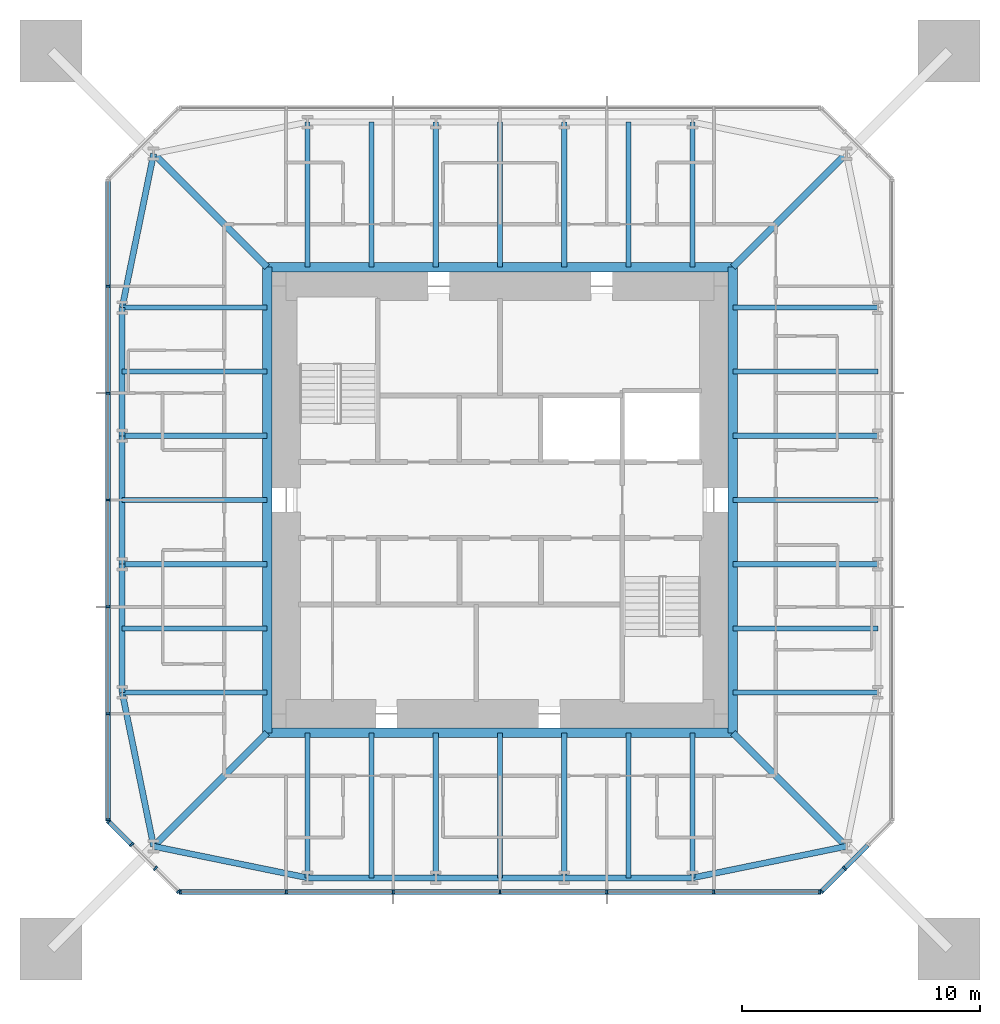
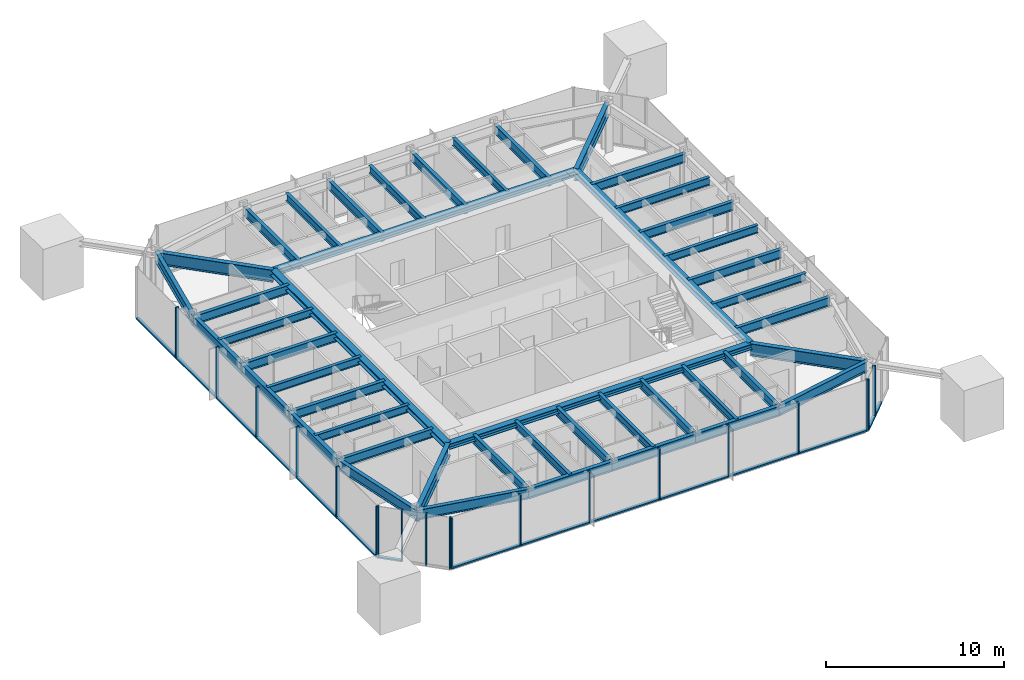
# One storey, part 2 of 10: 46 beams, 34 members, 4 elements without a shape of their own.
"""IFC4 building model written with IfcOpenShell, lengths in metres."""

import ifcopenshell
import ifcopenshell.guid

model = None  # the IFC model being written
_history = None  # IfcOwnerHistory: only IFC2X3 demands one
_inside = {}  # id of a spatial element -> (the spatial element, [elements in it])
_under = {}  # id of a project, library or spatial element -> (it, [spatial elements below it])
_declared = {}  # id of a project -> (the project, [libraries it declares])
_typed = {}  # id of a type object -> (the type object, [elements of that type])
_made_of = {}  # id of a material, layer set ... -> (it, [elements and type objects made of it])


def new_model(schema):
    """Start an empty IFC model of exactly this schema.

    Asked for "IFC4X3", IfcOpenShell would pick the latest addendum, in which some entities
    have other attributes; the version numbers below select the first issue.
    IFC2X3 requires an IfcOwnerHistory on every rooted entity: one is made here for all.
    """
    global model, _history
    if schema == "IFC4X3":
        model = ifcopenshell.file(schema_version=(4, 3, 0, 0))
    else:
        model = ifcopenshell.file(schema=schema)
    _inside.clear()
    _under.clear()
    _declared.clear()
    _typed.clear()
    _made_of.clear()
    _history = None
    if model.schema == "IFC2X3":
        org = make("IfcOrganization", Name="unknown")
        user = make(
            "IfcPersonAndOrganization",
            ThePerson=make("IfcPerson", FamilyName="unknown"),
            TheOrganization=org,
        )
        app = make(
            "IfcApplication",
            ApplicationDeveloper=org,
            Version="unknown",
            ApplicationFullName="unknown",
            ApplicationIdentifier="unknown",
        )
        _history = make(
            "IfcOwnerHistory",
            OwningUser=user,
            OwningApplication=app,
            ChangeAction="ADDED",
            CreationDate=0,
        )
    return model


def make(cls, **values):
    """One entity of the class cls with the attributes given. An attribute that is None is left unset."""
    return model.create_entity(
        cls, **{name: value for name, value in values.items() if value is not None}
    )


def rooted(cls, **values):
    """An entity with a GlobalId (a new one), such as an element, a storey or a relation."""
    return make(cls, GlobalId=ifcopenshell.guid.new(), OwnerHistory=_history, **values)


def si_unit(unit_type, name, prefix=None):
    """IfcSIUnit, for example si_unit("LENGTHUNIT", "METRE", prefix="MILLI")."""
    return make("IfcSIUnit", UnitType=unit_type, Prefix=prefix, Name=name)


def assignment(units):
    """IfcUnitAssignment: the units of a project."""
    return None if units is None else make("IfcUnitAssignment", Units=units)


def point(xyz):
    """IfcCartesianPoint."""
    return None if xyz is None else make("IfcCartesianPoint", Coordinates=xyz)


def direction(xyz):
    """IfcDirection."""
    return None if xyz is None else make("IfcDirection", DirectionRatios=xyz)


def frame(location, z_axis=None, x_axis=None):
    """IfcAxis2Placement3D, a coordinate frame: its origin and axes. An axis left out is left unset."""
    return make(
        "IfcAxis2Placement3D",
        Location=point(location),
        Axis=direction(z_axis),
        RefDirection=direction(x_axis),
    )


def frame_2d(location, x_axis=None):
    """IfcAxis2Placement2D, a coordinate frame in the plane: its origin and x axis."""
    return make(
        "IfcAxis2Placement2D", Location=point(location), RefDirection=direction(x_axis)
    )


def origin():
    """The frame at (0, 0, 0) with its axes left unset."""
    return frame((0.0, 0.0, 0.0))


def origin_2d():
    """The frame at (0, 0) in the plane with its x axis left unset."""
    return frame_2d((0.0, 0.0))


def place(relative_to, where):
    """IfcLocalPlacement: puts the frame where relative to a parent placement (None: the world)."""
    return make(
        "IfcLocalPlacement", PlacementRelTo=relative_to, RelativePlacement=where
    )


def context(
    kind, dimensions, precision=None, world=None, true_north=None, identifier=None
):
    """IfcGeometricRepresentationContext, for example the 3D "Model" context."""
    return make(
        "IfcGeometricRepresentationContext",
        ContextIdentifier=identifier,
        ContextType=kind,
        CoordinateSpaceDimension=dimensions,
        Precision=precision,
        WorldCoordinateSystem=world,
        TrueNorth=true_north,
    )


def subcontext(parent, identifier, kind, view, scale=None):
    """IfcGeometricRepresentationSubContext, for example "Body" below "Model"."""
    return make(
        "IfcGeometricRepresentationSubContext",
        ContextIdentifier=identifier,
        ContextType=kind,
        ParentContext=parent,
        TargetScale=scale,
        TargetView=view,
    )


def project(units=None, contexts=None):
    """IfcProject with its units and contexts."""
    return rooted(
        "IfcProject",
        Name="project",
        RepresentationContexts=contexts,
        UnitsInContext=assignment(units),
    )


def spatial(cls, under=None, at=None, **own):
    """A site, building, storey or space (cls), placed at a placement, below another one or the project."""
    s = rooted(cls, ObjectPlacement=at, **own)
    if under is not None:
        _under.setdefault(under.id(), (under, []))[1].append(s)
    return s


def profile(cls, at=None, kind="AREA", **sizes):
    """A parametric profile (cls). Its sizes go by their IFC names, for example OverallWidth=200.0."""
    return make(cls, ProfileType=kind, Position=at, **sizes)


def rectangle(**sizes):
    """IfcRectangleProfileDef."""
    return profile("IfcRectangleProfileDef", **sizes)


def i_section(**sizes):
    """IfcIShapeProfileDef."""
    return profile("IfcIShapeProfileDef", **sizes)


def extrude(swept, where, along, depth):
    """IfcExtrudedAreaSolid: the profile swept, set in the frame where, extruded along a direction by depth."""
    return make(
        "IfcExtrudedAreaSolid",
        SweptArea=swept,
        Position=where,
        ExtrudedDirection=direction(along),
        Depth=depth,
    )


def shape(context_of_items, identifier, shape_type, items):
    """IfcShapeRepresentation: the items that make up one representation, for example the "Body"."""
    return make(
        "IfcShapeRepresentation",
        ContextOfItems=context_of_items,
        RepresentationIdentifier=identifier,
        RepresentationType=shape_type,
        Items=items,
    )


def material(Name=None, Category=None):
    """IfcMaterial."""
    return make("IfcMaterial", Name=Name, Category=Category)


def material_profile(
    of_material, cross_section, Name=None, Category=None, Priority=None
):
    """IfcMaterialProfile: a cross section and its material."""
    return make(
        "IfcMaterialProfile",
        Name=Name,
        Material=of_material,
        Profile=cross_section,
        Priority=Priority,
        Category=Category,
    )


def profile_set(profiles, Name=None, composite=None):
    """IfcMaterialProfileSet."""
    return make(
        "IfcMaterialProfileSet",
        Name=Name,
        MaterialProfiles=profiles,
        CompositeProfile=composite,
    )


def made_of(thing, what):
    """Note that an element or type object is made of a material, layer set ...; save() writes the relation."""
    if what is not None:
        _made_of.setdefault(what.id(), (what, []))[1].append(thing)
    return thing


def type_object(cls, material=None, **own):
    """A type object (cls), such as IfcWallType, which elements share."""
    return made_of(rooted(cls, **own), material)


def element(
    cls,
    number,
    at=None,
    inside=None,
    cuts=None,
    type_object=None,
    material=None,
    context=None,
    identifier="Body",
    shape_type=None,
    held_by="IfcProductDefinitionShape",
    body=None,
    shapes=None,
    **own,
):
    """One element of the class cls, such as IfcWall. Its Tag is "e" and its number.

    at: its placement. inside: the storey or other place that contains it. cuts: it is an
    opening in that element (IfcRelVoidsElement). A single representation is given by context,
    identifier, shape_type and body (its items); several are given by shapes. held_by: the class
    of the entity that holds the representations. save() writes the other relations.
    """
    e = rooted(cls, Tag="e%d" % number, ObjectPlacement=at, **own)
    if body is not None:
        shapes = [shape(context, identifier, shape_type, body)]
    if shapes is not None:
        e.Representation = make(held_by, Representations=shapes)
    if inside is not None:
        _inside.setdefault(inside.id(), (inside, []))[1].append(e)
    if cuts is not None:
        rooted(
            "IfcRelVoidsElement", RelatingBuildingElement=cuts, RelatedOpeningElement=e
        )
    if type_object is not None:
        _typed.setdefault(type_object.id(), (type_object, []))[1].append(e)
    return made_of(e, material)


def aggregate(whole, parts):
    """IfcRelAggregates: a whole, such as a stair, and the parts it consists of."""
    return rooted("IfcRelAggregates", RelatingObject=whole, RelatedObjects=parts)


def save(model, path):
    """Write the relations noted so far, then the file.

    IfcRelAggregates (storeys below a building ...), IfcRelContainedInSpatialStructure (elements
    in a storey), IfcRelDefinesByType, IfcRelAssociatesMaterial and IfcRelDeclares: one each for
    every whole, place, type object, material and project.
    """
    for whole, parts in _under.values():
        aggregate(whole, parts)
    for where, things in _inside.values():
        rooted(
            "IfcRelContainedInSpatialStructure",
            RelatedElements=things,
            RelatingStructure=where,
        )
    for kind, things in _typed.values():
        rooted("IfcRelDefinesByType", RelatedObjects=things, RelatingType=kind)
    for what, things in _made_of.values():
        rooted("IfcRelAssociatesMaterial", RelatedObjects=things, RelatingMaterial=what)
    for by, libraries in _declared.values():
        rooted("IfcRelDeclares", RelatingContext=by, RelatedDefinitions=libraries)
    model.write(path)


model = new_model("IFC4")

# Units and contexts
model_context = context("Model", 3, precision=1e-05, world=origin(), true_north=direction((0.0, 1.0)))
body_context = subcontext(model_context, "Body", "Model", "MODEL_VIEW")
ifc_project = project(units=[si_unit("LENGTHUNIT", "METRE"), si_unit("AREAUNIT", "SQUARE_METRE"), si_unit("VOLUMEUNIT", "CUBIC_METRE"), si_unit("PLANEANGLEUNIT", "RADIAN"), si_unit("MASSUNIT", "GRAM", prefix="KILO")], contexts=[model_context])

# Site, building, storey
site_placement = place(None, origin())
site = spatial("IfcSite", under=ifc_project, at=site_placement, CompositionType="ELEMENT")
building_placement = place(site_placement, origin())
building = spatial("IfcBuilding", under=site, at=building_placement, Name="Iwan Alto Co-Living Towers", CompositionType="ELEMENT")
storey_placement = place(building_placement, frame((0.0, 0.0, 218.5)))
storey = spatial("IfcBuildingStorey", under=building, at=storey_placement, Name="L59", CompositionType="ELEMENT", Elevation=218.5)

# Curtain wall, members
ifc_material_1 = material(Name="Bronze aluminium unitised frame", Category="aluminium")
curtain_wall_type_1 = type_object("IfcCurtainWallType", Name="CURTAIN WALL CW-A", PredefinedType="NOTDEFINED", material=ifc_material_1)
curtain_wall_1_placement = place(storey_placement, origin())
curtain_wall_1 = element("IfcCurtainWall", 1, at=curtain_wall_1_placement, inside=storey, type_object=curtain_wall_type_1, Name="T1 curtain wall S L59", PredefinedType="NOTDEFINED")
ifc_material_2 = material(Name="Aluminium 6063-T6 bronze anodised", Category="aluminium")
ifc_material_profile_1 = material_profile(ifc_material_2, rectangle(XDim=0.199951171875, YDim=0.080078125, at=origin_2d()), Name="AL 80X200")
ifc_profile_set_1 = profile_set([ifc_material_profile_1], Name="Aluminium 6063-T6 bronze anodised")
member_type_1 = type_object("IfcMemberType", Name="CW-A MULLION 80X200", PredefinedType="MULLION", material=ifc_profile_set_1)
member_1_placement = place(storey_placement, frame((-13.4599609375, -16.5, 0.0), z_axis=(0.0, 0.0, 1.0), x_axis=(0.0, 1.0, 0.0)))
member_1 = element("IfcMember", 2, at=member_1_placement, type_object=member_type_1, Name="CW-A mullion 1", PredefinedType="MULLION", context=body_context, shape_type="SweptSolid", body=[
    extrude(rectangle(XDim=0.199951171875, YDim=0.080078125, at=origin_2d()), origin(), (0.0, 0.0, 1.0), 3.5),
])
member_2_placement = place(storey_placement, frame((-9.0, -16.5, 0.0), z_axis=(0.0, 0.0, 1.0), x_axis=(0.0, 1.0, 0.0)))
member_2 = element("IfcMember", 3, at=member_2_placement, type_object=member_type_1, Name="CW-A mullion 2", PredefinedType="MULLION", context=body_context, shape_type="SweptSolid", body=[
    extrude(rectangle(XDim=0.199951171875, YDim=0.080078125, at=origin_2d()), origin(), (0.0, 0.0, 1.0), 3.5),
])
member_3_placement = place(storey_placement, frame((-4.5, -16.5, 0.0), z_axis=(0.0, 0.0, 1.0), x_axis=(0.0, 1.0, 0.0)))
member_3 = element("IfcMember", 4, at=member_3_placement, type_object=member_type_1, Name="CW-A mullion 3", PredefinedType="MULLION", context=body_context, shape_type="SweptSolid", body=[
    extrude(rectangle(XDim=0.199951171875, YDim=0.080078125, at=origin_2d()), origin(), (0.0, 0.0, 1.0), 3.5),
])
member_4_placement = place(storey_placement, frame((0.0, -16.5, 0.0), z_axis=(0.0, 0.0, 1.0), x_axis=(0.0, 1.0, 0.0)))
member_4 = element("IfcMember", 5, at=member_4_placement, type_object=member_type_1, Name="CW-A mullion 4", PredefinedType="MULLION", context=body_context, shape_type="SweptSolid", body=[
    extrude(rectangle(XDim=0.199951171875, YDim=0.080078125, at=origin_2d()), origin(), (0.0, 0.0, 1.0), 3.5),
])
member_5_placement = place(storey_placement, frame((4.5, -16.5, 0.0), z_axis=(0.0, 0.0, 1.0), x_axis=(0.0, 1.0, 0.0)))
member_5 = element("IfcMember", 6, at=member_5_placement, type_object=member_type_1, Name="CW-A mullion 5", PredefinedType="MULLION", context=body_context, shape_type="SweptSolid", body=[
    extrude(rectangle(XDim=0.199951171875, YDim=0.080078125, at=origin_2d()), origin(), (0.0, 0.0, 1.0), 3.5),
])
member_6_placement = place(storey_placement, frame((9.0, -16.5, 0.0), z_axis=(0.0, 0.0, 1.0), x_axis=(0.0, 1.0, 0.0)))
member_6 = element("IfcMember", 7, at=member_6_placement, type_object=member_type_1, Name="CW-A mullion 6", PredefinedType="MULLION", context=body_context, shape_type="SweptSolid", body=[
    extrude(rectangle(XDim=0.199951171875, YDim=0.080078125, at=origin_2d()), origin(), (0.0, 0.0, 1.0), 3.5),
])
member_7_placement = place(storey_placement, frame((13.4599609375, -16.5, 0.0), z_axis=(0.0, 0.0, 1.0), x_axis=(0.0, 1.0, 0.0)))
member_7 = element("IfcMember", 8, at=member_7_placement, type_object=member_type_1, Name="CW-A mullion 7", PredefinedType="MULLION", context=body_context, shape_type="SweptSolid", body=[
    extrude(rectangle(XDim=0.199951171875, YDim=0.080078125, at=origin_2d()), origin(), (0.0, 0.0, 1.0), 3.5),
])

curtain_wall_2_placement = place(storey_placement, origin())
curtain_wall_2 = element("IfcCurtainWall", 9, at=curtain_wall_2_placement, inside=storey, type_object=curtain_wall_type_1, Name="T1 curtain wall W L59", PredefinedType="NOTDEFINED")
member_8_placement = place(storey_placement, frame((-16.5, 9.0, 0.0), z_axis=(0.0, 0.0, 1.0), x_axis=(1.0, 0.0, 0.0)))
member_8 = element("IfcMember", 10, at=member_8_placement, type_object=member_type_1, Name="CW-A mullion 2", PredefinedType="MULLION", context=body_context, shape_type="SweptSolid", body=[
    extrude(rectangle(XDim=0.199951171875, YDim=0.080078125, at=origin_2d()), origin(), (0.0, 0.0, 1.0), 3.5),
])
member_9_placement = place(storey_placement, frame((-16.5, 4.5, 0.0), z_axis=(0.0, 0.0, 1.0), x_axis=(1.0, 0.0, 0.0)))
member_9 = element("IfcMember", 11, at=member_9_placement, type_object=member_type_1, Name="CW-A mullion 3", PredefinedType="MULLION", context=body_context, shape_type="SweptSolid", body=[
    extrude(rectangle(XDim=0.199951171875, YDim=0.080078125, at=origin_2d()), origin(), (0.0, 0.0, 1.0), 3.5),
])
member_10_placement = place(storey_placement, frame((-16.5, 0.0, 0.0), z_axis=(0.0, 0.0, 1.0), x_axis=(1.0, 0.0, 0.0)))
member_10 = element("IfcMember", 12, at=member_10_placement, type_object=member_type_1, Name="CW-A mullion 4", PredefinedType="MULLION", context=body_context, shape_type="SweptSolid", body=[
    extrude(rectangle(XDim=0.199951171875, YDim=0.080078125, at=origin_2d()), origin(), (0.0, 0.0, 1.0), 3.5),
])
member_11_placement = place(storey_placement, frame((-16.5, -4.5, 0.0), z_axis=(0.0, 0.0, 1.0), x_axis=(1.0, 0.0, 0.0)))
member_11 = element("IfcMember", 13, at=member_11_placement, type_object=member_type_1, Name="CW-A mullion 5", PredefinedType="MULLION", context=body_context, shape_type="SweptSolid", body=[
    extrude(rectangle(XDim=0.199951171875, YDim=0.080078125, at=origin_2d()), origin(), (0.0, 0.0, 1.0), 3.5),
])
member_12_placement = place(storey_placement, frame((-16.5, -9.0, 0.0), z_axis=(0.0, 0.0, 1.0), x_axis=(1.0, 0.0, 0.0)))
member_12 = element("IfcMember", 14, at=member_12_placement, type_object=member_type_1, Name="CW-A mullion 6", PredefinedType="MULLION", context=body_context, shape_type="SweptSolid", body=[
    extrude(rectangle(XDim=0.199951171875, YDim=0.080078125, at=origin_2d()), origin(), (0.0, 0.0, 1.0), 3.5),
])
member_13_placement = place(storey_placement, frame((-16.5, -13.4599609375, 0.0), z_axis=(0.0, 0.0, 1.0), x_axis=(1.0, 0.0, 0.0)))
member_13 = element("IfcMember", 15, at=member_13_placement, type_object=member_type_1, Name="CW-A mullion 7", PredefinedType="MULLION", context=body_context, shape_type="SweptSolid", body=[
    extrude(rectangle(XDim=0.199951171875, YDim=0.080078125, at=origin_2d()), origin(), (0.0, 0.0, 1.0), 3.5),
])

# Member
ifc_material_3 = material(Name="Aluminium 6063-T6 bronze anodised", Category="aluminium")
ifc_material_profile_2 = material_profile(ifc_material_3, rectangle(XDim=0.199951171875, YDim=0.10009765625, at=origin_2d()), Name="AL 200X100")
ifc_profile_set_2 = profile_set([ifc_material_profile_2], Name="Aluminium 6063-T6 bronze anodised")
member_type_2 = type_object("IfcMemberType", Name="CW-A TRANSOM 200X100", PredefinedType="USERDEFINED", material=ifc_profile_set_2)
member_14_placement = place(storey_placement, frame((-13.419921875, -16.5, 0.050048828125), z_axis=(1.0, 0.0, 0.0), x_axis=(0.0, 1.0, 0.0)))
member_14 = element("IfcMember", 16, at=member_14_placement, type_object=member_type_2, Name="CW-A transom 1.1", ObjectType="TRANSOM", PredefinedType="USERDEFINED", context=body_context, shape_type="SweptSolid", body=[
    extrude(rectangle(XDim=0.199951171875, YDim=0.10009765625, at=origin_2d()), origin(), (0.0, 0.0, 1.0), 4.3798828125),
])

member_15_placement = place(storey_placement, frame((-8.9599609375, -16.5, 0.050048828125), z_axis=(1.0, 0.0, 0.0), x_axis=(0.0, 1.0, 0.0)))
member_15 = element("IfcMember", 17, at=member_15_placement, type_object=member_type_2, Name="CW-A transom 2.1", ObjectType="TRANSOM", PredefinedType="USERDEFINED", context=body_context, shape_type="SweptSolid", body=[
    extrude(rectangle(XDim=0.199951171875, YDim=0.10009765625, at=origin_2d()), origin(), (0.0, 0.0, 1.0), 4.419921875),
])

member_16_placement = place(storey_placement, frame((-4.4599609375, -16.5, 0.050048828125), z_axis=(1.0, 0.0, 0.0), x_axis=(0.0, 1.0, 0.0)))
member_16 = element("IfcMember", 18, at=member_16_placement, type_object=member_type_2, Name="CW-A transom 3.1", ObjectType="TRANSOM", PredefinedType="USERDEFINED", context=body_context, shape_type="SweptSolid", body=[
    extrude(rectangle(XDim=0.199951171875, YDim=0.10009765625, at=origin_2d()), origin(), (0.0, 0.0, 1.0), 4.419921875),
])

member_17_placement = place(storey_placement, frame((0.0400390625, -16.5, 0.050048828125), z_axis=(1.0, 0.0, 0.0), x_axis=(0.0, 1.0, 0.0)))
member_17 = element("IfcMember", 19, at=member_17_placement, type_object=member_type_2, Name="CW-A transom 4.1", ObjectType="TRANSOM", PredefinedType="USERDEFINED", context=body_context, shape_type="SweptSolid", body=[
    extrude(rectangle(XDim=0.199951171875, YDim=0.10009765625, at=origin_2d()), origin(), (0.0, 0.0, 1.0), 4.419921875),
])

member_18_placement = place(storey_placement, frame((4.5400390625, -16.5, 0.050048828125), z_axis=(1.0, 0.0, 0.0), x_axis=(0.0, 1.0, 0.0)))
member_18 = element("IfcMember", 20, at=member_18_placement, type_object=member_type_2, Name="CW-A transom 5.1", ObjectType="TRANSOM", PredefinedType="USERDEFINED", context=body_context, shape_type="SweptSolid", body=[
    extrude(rectangle(XDim=0.199951171875, YDim=0.10009765625, at=origin_2d()), origin(), (0.0, 0.0, 1.0), 4.419921875),
])

member_19_placement = place(storey_placement, frame((9.0400390625, -16.5, 0.050048828125), z_axis=(1.0, 0.0, 0.0), x_axis=(0.0, 1.0, 0.0)))
member_19 = element("IfcMember", 21, at=member_19_placement, type_object=member_type_2, Name="CW-A transom 6.1", ObjectType="TRANSOM", PredefinedType="USERDEFINED", context=body_context, shape_type="SweptSolid", body=[
    extrude(rectangle(XDim=0.199951171875, YDim=0.10009765625, at=origin_2d()), origin(), (0.0, 0.0, 1.0), 4.3798828125),
])

aggregate(curtain_wall_1, [member_1, member_2, member_3, member_4, member_5, member_6, member_7, member_14, member_15, member_16, member_17, member_18, member_19])

member_20_placement = place(storey_placement, frame((-16.5, 13.419921875, 0.050048828125), z_axis=(0.0, -1.0, 0.0), x_axis=(1.0, 0.0, 0.0)))
member_20 = element("IfcMember", 22, at=member_20_placement, type_object=member_type_2, Name="CW-A transom 1.1", ObjectType="TRANSOM", PredefinedType="USERDEFINED", context=body_context, shape_type="SweptSolid", body=[
    extrude(rectangle(XDim=0.199951171875, YDim=0.10009765625, at=origin_2d()), origin(), (0.0, 0.0, 1.0), 4.3798828125),
])

member_21_placement = place(storey_placement, frame((-16.5, 8.9599609375, 0.050048828125), z_axis=(0.0, -1.0, 0.0), x_axis=(1.0, 0.0, 0.0)))
member_21 = element("IfcMember", 23, at=member_21_placement, type_object=member_type_2, Name="CW-A transom 2.1", ObjectType="TRANSOM", PredefinedType="USERDEFINED", context=body_context, shape_type="SweptSolid", body=[
    extrude(rectangle(XDim=0.199951171875, YDim=0.10009765625, at=origin_2d()), origin(), (0.0, 0.0, 1.0), 4.419921875),
])

member_22_placement = place(storey_placement, frame((-16.5, 4.4599609375, 0.050048828125), z_axis=(0.0, -1.0, 0.0), x_axis=(1.0, 0.0, 0.0)))
member_22 = element("IfcMember", 24, at=member_22_placement, type_object=member_type_2, Name="CW-A transom 3.1", ObjectType="TRANSOM", PredefinedType="USERDEFINED", context=body_context, shape_type="SweptSolid", body=[
    extrude(rectangle(XDim=0.199951171875, YDim=0.10009765625, at=origin_2d()), origin(), (0.0, 0.0, 1.0), 4.419921875),
])

member_23_placement = place(storey_placement, frame((-16.5, -0.0400390625, 0.050048828125), z_axis=(0.0, -1.0, 0.0), x_axis=(1.0, 0.0, 0.0)))
member_23 = element("IfcMember", 25, at=member_23_placement, type_object=member_type_2, Name="CW-A transom 4.1", ObjectType="TRANSOM", PredefinedType="USERDEFINED", context=body_context, shape_type="SweptSolid", body=[
    extrude(rectangle(XDim=0.199951171875, YDim=0.10009765625, at=origin_2d()), origin(), (0.0, 0.0, 1.0), 4.419921875),
])

member_24_placement = place(storey_placement, frame((-16.5, -4.5400390625, 0.050048828125), z_axis=(0.0, -1.0, 0.0), x_axis=(1.0, 0.0, 0.0)))
member_24 = element("IfcMember", 26, at=member_24_placement, type_object=member_type_2, Name="CW-A transom 5.1", ObjectType="TRANSOM", PredefinedType="USERDEFINED", context=body_context, shape_type="SweptSolid", body=[
    extrude(rectangle(XDim=0.199951171875, YDim=0.10009765625, at=origin_2d()), origin(), (0.0, 0.0, 1.0), 4.419921875),
])

member_25_placement = place(storey_placement, frame((-16.5, -9.0400390625, 0.050048828125), z_axis=(0.0, -1.0, 0.0), x_axis=(1.0, 0.0, 0.0)))
member_25 = element("IfcMember", 27, at=member_25_placement, type_object=member_type_2, Name="CW-A transom 6.1", ObjectType="TRANSOM", PredefinedType="USERDEFINED", context=body_context, shape_type="SweptSolid", body=[
    extrude(rectangle(XDim=0.199951171875, YDim=0.10009765625, at=origin_2d()), origin(), (0.0, 0.0, 1.0), 4.3798828125),
])

aggregate(curtain_wall_2, [member_8, member_9, member_10, member_11, member_12, member_13, member_20, member_21, member_22, member_23, member_24, member_25])

# Curtain wall, members
ifc_material_4 = material(Name="Bronze aluminium unitised frame", Category="aluminium")
curtain_wall_type_2 = type_object("IfcCurtainWallType", Name="CURTAIN WALL CW-B", PredefinedType="NOTDEFINED", material=ifc_material_4)
curtain_wall_3_placement = place(storey_placement, origin())
curtain_wall_3 = element("IfcCurtainWall", 28, at=curtain_wall_3_placement, inside=storey, type_object=curtain_wall_type_2, Name="T1 chamfer curtain wall SE L59", PredefinedType="NOTDEFINED")
ifc_material_5 = material(Name="Aluminium 6063-T6 bronze anodised", Category="aluminium")
ifc_material_profile_3 = material_profile(ifc_material_5, rectangle(XDim=0.199951171875, YDim=0.080078125, at=origin_2d()), Name="AL 80X200")
ifc_profile_set_3 = profile_set([ifc_material_profile_3], Name="Aluminium 6063-T6 bronze anodised")
member_type_3 = type_object("IfcMemberType", Name="CW-B MULLION 80X200", PredefinedType="MULLION", material=ifc_profile_set_3)
member_26_placement = place(storey_placement, frame((13.5283203125, -16.4716796875, 0.0), z_axis=(0.0, 0.0, 1.0), x_axis=(-0.707106781187, 0.707106781187, 0.0)))
member_26 = element("IfcMember", 29, at=member_26_placement, type_object=member_type_3, Name="CW-B mullion 1", PredefinedType="MULLION", context=body_context, shape_type="SweptSolid", body=[
    extrude(rectangle(XDim=0.199951171875, YDim=0.080078125, at=origin_2d()), origin(), (0.0, 0.0, 1.0), 3.5),
])
member_27_placement = place(storey_placement, frame((14.5, -15.5, 0.0), z_axis=(0.0, 0.0, 1.0), x_axis=(-0.707106781187, 0.707106781187, 0.0)))
member_27 = element("IfcMember", 30, at=member_27_placement, type_object=member_type_3, Name="CW-B mullion 2", PredefinedType="MULLION", context=body_context, shape_type="SweptSolid", body=[
    extrude(rectangle(XDim=0.199951171875, YDim=0.080078125, at=origin_2d()), origin(), (0.0, 0.0, 1.0), 3.5),
])

curtain_wall_4_placement = place(storey_placement, origin())
curtain_wall_4 = element("IfcCurtainWall", 31, at=curtain_wall_4_placement, inside=storey, type_object=curtain_wall_type_2, Name="T1 chamfer curtain wall SW L59", PredefinedType="NOTDEFINED")
member_28_placement = place(storey_placement, frame((-16.4716796875, -13.5283203125, 0.0), z_axis=(0.0, 0.0, 1.0), x_axis=(0.707106781187, 0.707106781187, 0.0)))
member_28 = element("IfcMember", 32, at=member_28_placement, type_object=member_type_3, Name="CW-B mullion 1", PredefinedType="MULLION", context=body_context, shape_type="SweptSolid", body=[
    extrude(rectangle(XDim=0.199951171875, YDim=0.080078125, at=origin_2d()), origin(), (0.0, 0.0, 1.0), 3.5),
])
member_29_placement = place(storey_placement, frame((-15.5, -14.5, 0.0), z_axis=(0.0, 0.0, 1.0), x_axis=(0.707106781187, 0.707106781187, 0.0)))
member_29 = element("IfcMember", 33, at=member_29_placement, type_object=member_type_3, Name="CW-B mullion 2", PredefinedType="MULLION", context=body_context, shape_type="SweptSolid", body=[
    extrude(rectangle(XDim=0.199951171875, YDim=0.080078125, at=origin_2d()), origin(), (0.0, 0.0, 1.0), 3.5),
])
member_30_placement = place(storey_placement, frame((-14.5, -15.5, 0.0), z_axis=(0.0, 0.0, 1.0), x_axis=(0.707106781187, 0.707106781187, 0.0)))
member_30 = element("IfcMember", 34, at=member_30_placement, type_object=member_type_3, Name="CW-B mullion 3", PredefinedType="MULLION", context=body_context, shape_type="SweptSolid", body=[
    extrude(rectangle(XDim=0.199951171875, YDim=0.080078125, at=origin_2d()), origin(), (0.0, 0.0, 1.0), 3.5),
])
member_31_placement = place(storey_placement, frame((-13.5283203125, -16.4716796875, 0.0), z_axis=(0.0, 0.0, 1.0), x_axis=(0.707106781187, 0.707106781187, 0.0)))
member_31 = element("IfcMember", 35, at=member_31_placement, type_object=member_type_3, Name="CW-B mullion 4", PredefinedType="MULLION", context=body_context, shape_type="SweptSolid", body=[
    extrude(rectangle(XDim=0.199951171875, YDim=0.080078125, at=origin_2d()), origin(), (0.0, 0.0, 1.0), 3.5),
])

# Member
ifc_material_6 = material(Name="Aluminium 6063-T6 bronze anodised", Category="aluminium")
ifc_material_profile_4 = material_profile(ifc_material_6, rectangle(XDim=0.199951171875, YDim=0.10009765625, at=origin_2d()), Name="AL 200X100")
ifc_profile_set_4 = profile_set([ifc_material_profile_4], Name="Aluminium 6063-T6 bronze anodised")
member_type_4 = type_object("IfcMemberType", Name="CW-B TRANSOM 200X100", PredefinedType="USERDEFINED", material=ifc_profile_set_4)
member_32_placement = place(storey_placement, frame((13.556640625, -16.443359375, 0.050048828125), z_axis=(0.707106781187, 0.707106781187, 0.0), x_axis=(-0.707106781187, 0.707106781187, 0.0)))
member_32 = element("IfcMember", 36, at=member_32_placement, type_object=member_type_4, Name="CW-B transom 1.1", ObjectType="TRANSOM", PredefinedType="USERDEFINED", context=body_context, shape_type="SweptSolid", body=[
    extrude(rectangle(XDim=0.199951171875, YDim=0.10009765625, at=origin_2d()), origin(), (0.0, 0.0, 1.0), 1.2939453125),
])

member_33_placement = place(storey_placement, frame((14.5283203125, -15.4716796875, 0.050048828125), z_axis=(0.707106781187, 0.707106781187, 0.0), x_axis=(-0.707106781187, 0.707106781187, 0.0)))
member_33 = element("IfcMember", 37, at=member_33_placement, type_object=member_type_4, Name="CW-B transom 2.1", ObjectType="TRANSOM", PredefinedType="USERDEFINED", context=body_context, shape_type="SweptSolid", body=[
    extrude(rectangle(XDim=0.199951171875, YDim=0.10009765625, at=origin_2d()), origin(), (0.0, 0.0, 1.0), 1.334228515625),
])

aggregate(curtain_wall_3, [member_26, member_27, member_32, member_33])

member_34_placement = place(storey_placement, frame((-16.443359375, -13.556640625, 0.050048828125), z_axis=(0.707106781187, -0.707106781187, 0.0), x_axis=(0.707106781187, 0.707106781187, 0.0)))
member_34 = element("IfcMember", 38, at=member_34_placement, type_object=member_type_4, Name="CW-B transom 1.1", ObjectType="TRANSOM", PredefinedType="USERDEFINED", context=body_context, shape_type="SweptSolid", body=[
    extrude(rectangle(XDim=0.199951171875, YDim=0.10009765625, at=origin_2d()), origin(), (0.0, 0.0, 1.0), 1.2939453125),
])

aggregate(curtain_wall_4, [member_28, member_29, member_30, member_31, member_34])

# Beams
ifc_material_7 = material(Name="Steel ASTM A992 Gr 50", Category="steel")
ifc_material_profile_5 = material_profile(ifc_material_7, i_section(OverallWidth=0.398681640625, OverallDepth=0.385986328125, WebThickness=0.02099609375, FlangeThickness=0.033203125, at=origin_2d()), Name="W14X176")
ifc_profile_set_5 = profile_set([ifc_material_profile_5], Name="Steel ASTM A992 Gr 50")
beam_type_1 = type_object("IfcBeamType", Name="T1 CORE LEDGER BEAM W14X176", PredefinedType="BEAM", material=ifc_profile_set_5)
for number, where, z_axis, x_axis, name in (
    (39, (-9.79931640625, -9.79931640625, 3.076904296875), (1.0, 0.0, 0.0), (0.0, 1.0, 0.0), "T1 core ledger beam S L60"),
    (40, (9.79931640625, -9.79931640625, 3.076904296875), (0.0, 1.0, 0.0), (-1.0, 0.0, 0.0), "T1 core ledger beam E L60"),
    (41, (9.79931640625, 9.79931640625, 3.076904296875), (-1.0, 0.0, 0.0), (0.0, -1.0, 0.0), "T1 core ledger beam N L60"),
    (42, (-9.79931640625, 9.79931640625, 3.076904296875), (0.0, -1.0, 0.0), (1.0, 0.0, 0.0), "T1 core ledger beam W L60"),
):
    element("IfcBeam", number, at=place(storey_placement, frame(where, z_axis=z_axis, x_axis=x_axis)), inside=storey, type_object=beam_type_1, Name=name, PredefinedType="BEAM", context=body_context, shape_type="SweptSolid", body=[
        extrude(i_section(OverallWidth=0.398681640625, OverallDepth=0.385986328125, WebThickness=0.02099609375, FlangeThickness=0.033203125, at=origin_2d()), origin(), (0.0, 0.0, 1.0), 19.5986328125),
    ])
ifc_material_8 = material(Name="Steel ASTM A992 Gr 50", Category="steel")
ifc_material_profile_6 = material_profile(ifc_material_8, i_section(OverallWidth=0.2919921875, OverallDepth=0.8408203125, WebThickness=0.0146484375, FlangeThickness=0.021728515625, at=origin_2d()), Name="W33X130")
ifc_profile_set_6 = profile_set([ifc_material_profile_6], Name="Steel ASTM A992 Gr 50")
beam_type_2 = type_object("IfcBeamType", Name="T1 CORNER GIRDER W33X130", PredefinedType="BEAM", material=ifc_profile_set_6)
for number, where, z_axis, x_axis, name in (
    (43, (-14.57568359375, -14.57568359375, 2.849609375), (0.707106781187, 0.707106781187, 0.0), (-0.707106781187, 0.707106781187, 0.0), "T1 corner girder CSW L60"),
    (44, (14.57568359375, -14.57568359375, 2.849609375), (-0.707106781187, 0.707106781187, 0.0), (-0.707106781187, -0.707106781187, 0.0), "T1 corner girder CSE L60"),
    (45, (14.57568359375, 14.57568359375, 2.849609375), (-0.707106781187, -0.707106781187, 0.0), (0.707106781187, -0.707106781187, 0.0), "T1 corner girder CNE L60"),
    (46, (-14.57568359375, 14.57568359375, 2.849609375), (0.707106781187, -0.707106781187, 0.0), (0.707106781187, 0.707106781187, 0.0), "T1 corner girder CNW L60"),
):
    element("IfcBeam", number, at=place(storey_placement, frame(where, z_axis=z_axis, x_axis=x_axis)), inside=storey, type_object=beam_type_2, Name=name, PredefinedType="BEAM", context=body_context, shape_type="SweptSolid", body=[
        extrude(i_section(OverallWidth=0.2919921875, OverallDepth=0.8408203125, WebThickness=0.0146484375, FlangeThickness=0.021728515625, at=origin_2d()), origin(), (0.0, 0.0, 1.0), 6.7548828125),
    ])
ifc_material_9 = material(Name="Steel ASTM A992 Gr 50", Category="steel")
ifc_material_profile_7 = material_profile(ifc_material_9, i_section(OverallWidth=0.25390625, OverallDepth=0.683349609375, WebThickness=0.012451171875, FlangeThickness=0.018798828125, at=origin_2d()), Name="W27X94")
ifc_profile_set_7 = profile_set([ifc_material_profile_7], Name="Steel ASTM A992 Gr 50")
beam_type_3 = type_object("IfcBeamType", Name="T1 EDGE BEAM W27X94", PredefinedType="BEAM", material=ifc_profile_set_7)
beam_1_placement = place(storey_placement, frame((-14.57568359375, -14.57568359375, 2.928466796875), z_axis=(0.979724820103, -0.200347889618, 0.0), x_axis=(0.200347889618, 0.979724820103, 0.0)))
element("IfcBeam", 47, at=beam_1_placement, inside=storey, type_object=beam_type_3, Name="T1 edge beam CSW L60", PredefinedType="BEAM", context=body_context, shape_type="SweptSolid", body=[
    extrude(i_section(OverallWidth=0.25390625, OverallDepth=0.683349609375, WebThickness=0.012451171875, FlangeThickness=0.018798828125, at=origin_2d()), origin(), (0.0, 0.0, 1.0), 6.609619140625),
])
beam_2_placement = place(storey_placement, frame((-8.10009765625, -15.89990234375, 2.928466796875), z_axis=(1.0, 0.0, 0.0), x_axis=(0.0, 1.0, 0.0)))
element("IfcBeam", 48, at=beam_2_placement, inside=storey, type_object=beam_type_3, Name="T1 edge beam S1 L60", PredefinedType="BEAM", context=body_context, shape_type="SweptSolid", body=[
    extrude(i_section(OverallWidth=0.25390625, OverallDepth=0.683349609375, WebThickness=0.012451171875, FlangeThickness=0.018798828125, at=origin_2d()), origin(), (0.0, 0.0, 1.0), 5.400146484375),
])
beam_3_placement = place(storey_placement, frame((-2.699951171875, -15.89990234375, 2.928466796875), z_axis=(1.0, 0.0, 0.0), x_axis=(0.0, 1.0, 0.0)))
element("IfcBeam", 49, at=beam_3_placement, inside=storey, type_object=beam_type_3, Name="T1 edge beam S2 L60", PredefinedType="BEAM", context=body_context, shape_type="SweptSolid", body=[
    extrude(i_section(OverallWidth=0.25390625, OverallDepth=0.683349609375, WebThickness=0.012451171875, FlangeThickness=0.018798828125, at=origin_2d()), origin(), (0.0, 0.0, 1.0), 5.39990234375),
])
beam_4_placement = place(storey_placement, frame((2.699951171875, -15.89990234375, 2.928466796875), z_axis=(1.0, 0.0, 0.0), x_axis=(0.0, 1.0, 0.0)))
element("IfcBeam", 50, at=beam_4_placement, inside=storey, type_object=beam_type_3, Name="T1 edge beam S3 L60", PredefinedType="BEAM", context=body_context, shape_type="SweptSolid", body=[
    extrude(i_section(OverallWidth=0.25390625, OverallDepth=0.683349609375, WebThickness=0.012451171875, FlangeThickness=0.018798828125, at=origin_2d()), origin(), (0.0, 0.0, 1.0), 5.400146484375),
])
for number, where, z_axis, x_axis, name in (
    (51, (8.10009765625, -15.89990234375, 2.928466796875), (0.979724820103, 0.200347889618, 0.0), (-0.200347889618, 0.979724820103, 0.0), "T1 edge beam S4 L60"),
    (52, (-14.57568359375, 14.57568359375, 2.928466796875), (-0.200347889618, -0.979724820103, 0.0), (0.979724820103, -0.200347889618, 0.0), "T1 edge beam CNW L60"),
):
    element("IfcBeam", number, at=place(storey_placement, frame(where, z_axis=z_axis, x_axis=x_axis)), inside=storey, type_object=beam_type_3, Name=name, PredefinedType="BEAM", context=body_context, shape_type="SweptSolid", body=[
        extrude(i_section(OverallWidth=0.25390625, OverallDepth=0.683349609375, WebThickness=0.012451171875, FlangeThickness=0.018798828125, at=origin_2d()), origin(), (0.0, 0.0, 1.0), 6.609619140625),
    ])
beam_5_placement = place(storey_placement, frame((-15.89990234375, 8.10009765625, 2.928466796875), z_axis=(0.0, -1.0, 0.0), x_axis=(1.0, 0.0, 0.0)))
element("IfcBeam", 53, at=beam_5_placement, inside=storey, type_object=beam_type_3, Name="T1 edge beam W1 L60", PredefinedType="BEAM", context=body_context, shape_type="SweptSolid", body=[
    extrude(i_section(OverallWidth=0.25390625, OverallDepth=0.683349609375, WebThickness=0.012451171875, FlangeThickness=0.018798828125, at=origin_2d()), origin(), (0.0, 0.0, 1.0), 5.400146484375),
])
beam_6_placement = place(storey_placement, frame((-15.89990234375, 2.699951171875, 2.928466796875), z_axis=(0.0, -1.0, 0.0), x_axis=(1.0, 0.0, 0.0)))
element("IfcBeam", 54, at=beam_6_placement, inside=storey, type_object=beam_type_3, Name="T1 edge beam W2 L60", PredefinedType="BEAM", context=body_context, shape_type="SweptSolid", body=[
    extrude(i_section(OverallWidth=0.25390625, OverallDepth=0.683349609375, WebThickness=0.012451171875, FlangeThickness=0.018798828125, at=origin_2d()), origin(), (0.0, 0.0, 1.0), 5.39990234375),
])
beam_7_placement = place(storey_placement, frame((-15.89990234375, -2.699951171875, 2.928466796875), z_axis=(0.0, -1.0, 0.0), x_axis=(1.0, 0.0, 0.0)))
element("IfcBeam", 55, at=beam_7_placement, inside=storey, type_object=beam_type_3, Name="T1 edge beam W3 L60", PredefinedType="BEAM", context=body_context, shape_type="SweptSolid", body=[
    extrude(i_section(OverallWidth=0.25390625, OverallDepth=0.683349609375, WebThickness=0.012451171875, FlangeThickness=0.018798828125, at=origin_2d()), origin(), (0.0, 0.0, 1.0), 5.400146484375),
])
beam_8_placement = place(storey_placement, frame((-15.89990234375, -8.10009765625, 2.928466796875), z_axis=(0.200347889618, -0.979724820103, 0.0), x_axis=(0.979724820103, 0.200347889618, 0.0)))
element("IfcBeam", 56, at=beam_8_placement, inside=storey, type_object=beam_type_3, Name="T1 edge beam W4 L60", PredefinedType="BEAM", context=body_context, shape_type="SweptSolid", body=[
    extrude(i_section(OverallWidth=0.25390625, OverallDepth=0.683349609375, WebThickness=0.012451171875, FlangeThickness=0.018798828125, at=origin_2d()), origin(), (0.0, 0.0, 1.0), 6.609619140625),
])
ifc_material_10 = material(Name="Steel ASTM A992 Gr 50", Category="steel")
ifc_material_profile_8 = material_profile(ifc_material_10, i_section(OverallWidth=0.228271484375, OverallDepth=0.607177734375, WebThickness=0.01123046875, FlangeThickness=0.017333984375, at=origin_2d()), Name="W24X76")
ifc_profile_set_8 = profile_set([ifc_material_profile_8], Name="Steel ASTM A992 Gr 50")
beam_type_4 = type_object("IfcBeamType", Name="T1 RADIAL BEAM W24X76", PredefinedType="BEAM", material=ifc_profile_set_8)
for number, where, z_axis, x_axis, name in (
    (57, (-8.10009765625, -15.89990234375, 2.966552734375), (0.0, 1.0, 0.0), (-1.0, 0.0, 0.0), "T1 radial beam S1 L60"),
    (58, (-2.699951171875, -15.89990234375, 2.966552734375), (0.0, 1.0, 0.0), (-1.0, 0.0, 0.0), "T1 radial beam S2 L60"),
    (59, (2.699951171875, -15.89990234375, 2.966552734375), (0.0, 1.0, 0.0), (-1.0, 0.0, 0.0), "T1 radial beam S3 L60"),
    (60, (8.10009765625, -15.89990234375, 2.966552734375), (0.0, 1.0, 0.0), (-1.0, 0.0, 0.0), "T1 radial beam S4 L60"),
    (61, (15.89990234375, -8.10009765625, 2.966552734375), (-1.0, 0.0, 0.0), (0.0, -1.0, 0.0), "T1 radial beam E1 L60"),
    (62, (15.89990234375, -2.699951171875, 2.966552734375), (-1.0, 0.0, 0.0), (0.0, -1.0, 0.0), "T1 radial beam E2 L60"),
    (63, (15.89990234375, 2.699951171875, 2.966552734375), (-1.0, 0.0, 0.0), (0.0, -1.0, 0.0), "T1 radial beam E3 L60"),
    (64, (15.89990234375, 8.10009765625, 2.966552734375), (-1.0, 0.0, 0.0), (0.0, -1.0, 0.0), "T1 radial beam E4 L60"),
    (65, (8.10009765625, 15.89990234375, 2.966552734375), (0.0, -1.0, 0.0), (1.0, 0.0, 0.0), "T1 radial beam N1 L60"),
    (66, (2.699951171875, 15.89990234375, 2.966552734375), (0.0, -1.0, 0.0), (1.0, 0.0, 0.0), "T1 radial beam N2 L60"),
    (67, (-2.699951171875, 15.89990234375, 2.966552734375), (0.0, -1.0, 0.0), (1.0, 0.0, 0.0), "T1 radial beam N3 L60"),
    (68, (-8.10009765625, 15.89990234375, 2.966552734375), (0.0, -1.0, 0.0), (1.0, 0.0, 0.0), "T1 radial beam N4 L60"),
    (69, (-15.89990234375, 8.10009765625, 2.966552734375), (1.0, 0.0, 0.0), (0.0, 1.0, 0.0), "T1 radial beam W1 L60"),
    (70, (-15.89990234375, 2.699951171875, 2.966552734375), (1.0, 0.0, 0.0), (0.0, 1.0, 0.0), "T1 radial beam W2 L60"),
    (71, (-15.89990234375, -2.699951171875, 2.966552734375), (1.0, 0.0, 0.0), (0.0, 1.0, 0.0), "T1 radial beam W3 L60"),
    (72, (-15.89990234375, -8.10009765625, 2.966552734375), (1.0, 0.0, 0.0), (0.0, 1.0, 0.0), "T1 radial beam W4 L60"),
):
    element("IfcBeam", number, at=place(storey_placement, frame(where, z_axis=z_axis, x_axis=x_axis)), inside=storey, type_object=beam_type_4, Name=name, PredefinedType="BEAM", context=body_context, shape_type="SweptSolid", body=[
        extrude(i_section(OverallWidth=0.228271484375, OverallDepth=0.607177734375, WebThickness=0.01123046875, FlangeThickness=0.017333984375, at=origin_2d()), origin(), (0.0, 0.0, 1.0), 6.1005859375),
    ])
ifc_material_11 = material(Name="Steel ASTM A992 Gr 50", Category="steel")
ifc_material_profile_9 = material_profile(ifc_material_11, i_section(OverallWidth=0.209228515625, OverallDepth=0.533447265625, WebThickness=0.01025390625, FlangeThickness=0.015625, at=origin_2d()), Name="W21X62")
ifc_profile_set_9 = profile_set([ifc_material_profile_9], Name="Steel ASTM A992 Gr 50")
beam_type_5 = type_object("IfcBeamType", Name="T1 SECONDARY BEAM W21X62", PredefinedType="JOIST", material=ifc_profile_set_9)
for number, where, z_axis, x_axis, name in (
    (73, (-5.39990234375, -15.89990234375, 3.00341796875), (0.0, 1.0, 0.0), (-1.0, 0.0, 0.0), "T1 secondary beam S1 L60"),
    (74, (0.0, -15.89990234375, 3.00341796875), (0.0, 1.0, 0.0), (-1.0, 0.0, 0.0), "T1 secondary beam S2 L60"),
    (75, (5.39990234375, -15.89990234375, 3.00341796875), (0.0, 1.0, 0.0), (-1.0, 0.0, 0.0), "T1 secondary beam S3 L60"),
    (76, (15.89990234375, -5.39990234375, 3.00341796875), (-1.0, 0.0, 0.0), (0.0, -1.0, 0.0), "T1 secondary beam E1 L60"),
    (77, (15.89990234375, 0.0, 3.00341796875), (-1.0, 0.0, 0.0), (0.0, -1.0, 0.0), "T1 secondary beam E2 L60"),
    (78, (15.89990234375, 5.39990234375, 3.00341796875), (-1.0, 0.0, 0.0), (0.0, -1.0, 0.0), "T1 secondary beam E3 L60"),
    (79, (5.39990234375, 15.89990234375, 3.00341796875), (0.0, -1.0, 0.0), (1.0, 0.0, 0.0), "T1 secondary beam N1 L60"),
    (80, (0.0, 15.89990234375, 3.00341796875), (0.0, -1.0, 0.0), (1.0, 0.0, 0.0), "T1 secondary beam N2 L60"),
    (81, (-5.39990234375, 15.89990234375, 3.00341796875), (0.0, -1.0, 0.0), (1.0, 0.0, 0.0), "T1 secondary beam N3 L60"),
    (82, (-15.89990234375, 5.39990234375, 3.00341796875), (1.0, 0.0, 0.0), (0.0, 1.0, 0.0), "T1 secondary beam W1 L60"),
    (83, (-15.89990234375, 0.0, 3.00341796875), (1.0, 0.0, 0.0), (0.0, 1.0, 0.0), "T1 secondary beam W2 L60"),
    (84, (-15.89990234375, -5.39990234375, 3.00341796875), (1.0, 0.0, 0.0), (0.0, 1.0, 0.0), "T1 secondary beam W3 L60"),
):
    element("IfcBeam", number, at=place(storey_placement, frame(where, z_axis=z_axis, x_axis=x_axis)), inside=storey, type_object=beam_type_5, Name=name, PredefinedType="JOIST", context=body_context, shape_type="SweptSolid", body=[
        extrude(i_section(OverallWidth=0.209228515625, OverallDepth=0.533447265625, WebThickness=0.01025390625, FlangeThickness=0.015625, at=origin_2d()), origin(), (0.0, 0.0, 1.0), 6.1005859375),
    ])

save(model, "model.ifc")
